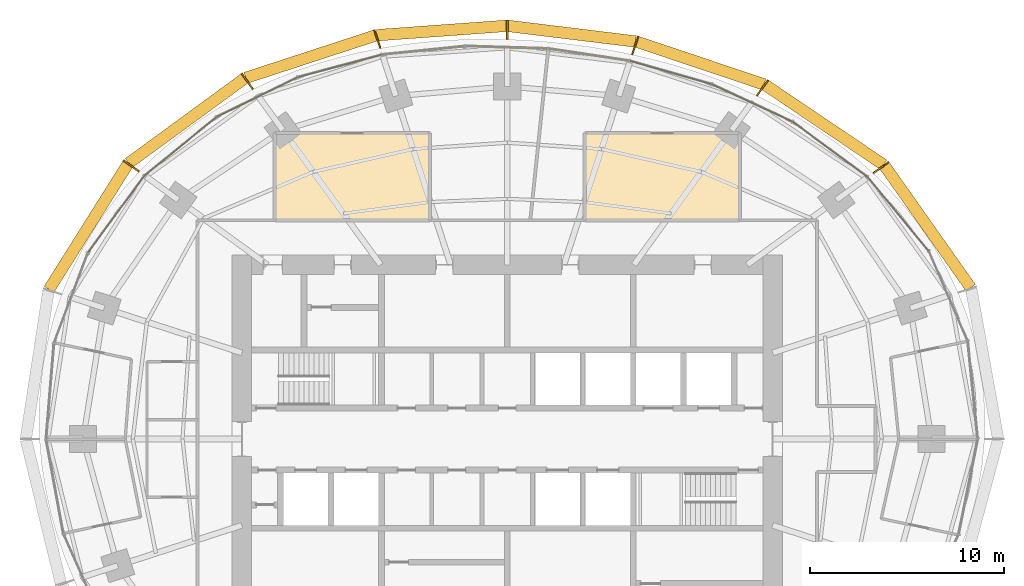
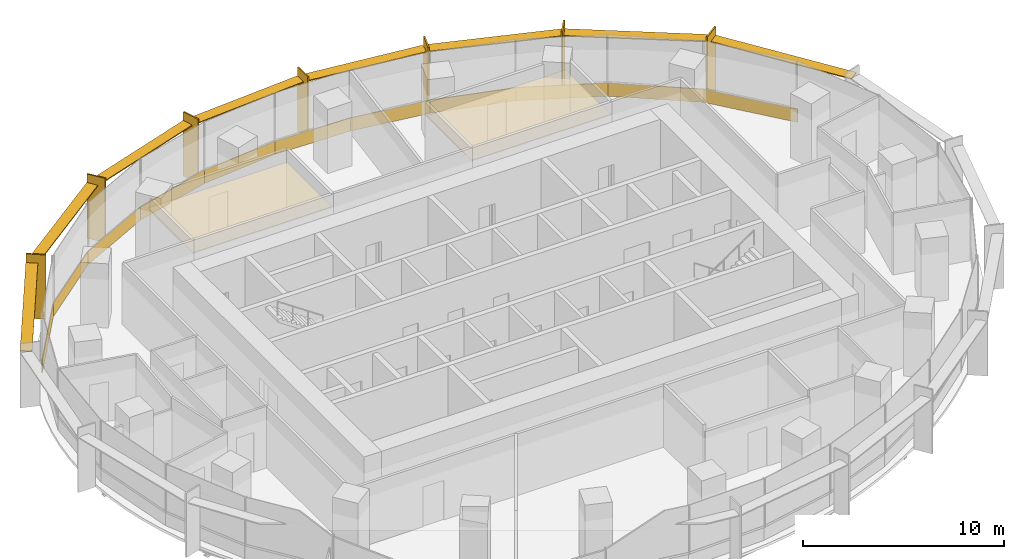
# One storey, part 14 of 14: 15 shading devices, 13 coverings.
"""IFC4 building model written with IfcOpenShell, lengths in metres."""

import ifcopenshell
import ifcopenshell.guid

model = None  # the IFC model being written
_history = None  # IfcOwnerHistory: only IFC2X3 demands one
_inside = {}  # id of a spatial element -> (the spatial element, [elements in it])
_under = {}  # id of a project, library or spatial element -> (it, [spatial elements below it])
_declared = {}  # id of a project -> (the project, [libraries it declares])
_typed = {}  # id of a type object -> (the type object, [elements of that type])
_made_of = {}  # id of a material, layer set ... -> (it, [elements and type objects made of it])


def new_model(schema):
    """Start an empty IFC model of exactly this schema.

    Asked for "IFC4X3", IfcOpenShell would pick the latest addendum, in which some entities
    have other attributes; the version numbers below select the first issue.
    IFC2X3 requires an IfcOwnerHistory on every rooted entity: one is made here for all.
    """
    global model, _history
    if schema == "IFC4X3":
        model = ifcopenshell.file(schema_version=(4, 3, 0, 0))
    else:
        model = ifcopenshell.file(schema=schema)
    _inside.clear()
    _under.clear()
    _declared.clear()
    _typed.clear()
    _made_of.clear()
    _history = None
    if model.schema == "IFC2X3":
        org = make("IfcOrganization", Name="unknown")
        user = make(
            "IfcPersonAndOrganization",
            ThePerson=make("IfcPerson", FamilyName="unknown"),
            TheOrganization=org,
        )
        app = make(
            "IfcApplication",
            ApplicationDeveloper=org,
            Version="unknown",
            ApplicationFullName="unknown",
            ApplicationIdentifier="unknown",
        )
        _history = make(
            "IfcOwnerHistory",
            OwningUser=user,
            OwningApplication=app,
            ChangeAction="ADDED",
            CreationDate=0,
        )
    return model


def make(cls, **values):
    """One entity of the class cls with the attributes given. An attribute that is None is left unset."""
    return model.create_entity(
        cls, **{name: value for name, value in values.items() if value is not None}
    )


def rooted(cls, **values):
    """An entity with a GlobalId (a new one), such as an element, a storey or a relation."""
    return make(cls, GlobalId=ifcopenshell.guid.new(), OwnerHistory=_history, **values)


def si_unit(unit_type, name, prefix=None):
    """IfcSIUnit, for example si_unit("LENGTHUNIT", "METRE", prefix="MILLI")."""
    return make("IfcSIUnit", UnitType=unit_type, Prefix=prefix, Name=name)


def assignment(units):
    """IfcUnitAssignment: the units of a project."""
    return None if units is None else make("IfcUnitAssignment", Units=units)


def point(xyz):
    """IfcCartesianPoint."""
    return None if xyz is None else make("IfcCartesianPoint", Coordinates=xyz)


def direction(xyz):
    """IfcDirection."""
    return None if xyz is None else make("IfcDirection", DirectionRatios=xyz)


def frame(location, z_axis=None, x_axis=None):
    """IfcAxis2Placement3D, a coordinate frame: its origin and axes. An axis left out is left unset."""
    return make(
        "IfcAxis2Placement3D",
        Location=point(location),
        Axis=direction(z_axis),
        RefDirection=direction(x_axis),
    )


def frame_2d(location, x_axis=None):
    """IfcAxis2Placement2D, a coordinate frame in the plane: its origin and x axis."""
    return make(
        "IfcAxis2Placement2D", Location=point(location), RefDirection=direction(x_axis)
    )


def origin():
    """The frame at (0, 0, 0) with its axes left unset."""
    return frame((0.0, 0.0, 0.0))


def origin_2d():
    """The frame at (0, 0) in the plane with its x axis left unset."""
    return frame_2d((0.0, 0.0))


def place(relative_to, where):
    """IfcLocalPlacement: puts the frame where relative to a parent placement (None: the world)."""
    return make(
        "IfcLocalPlacement", PlacementRelTo=relative_to, RelativePlacement=where
    )


def context(
    kind, dimensions, precision=None, world=None, true_north=None, identifier=None
):
    """IfcGeometricRepresentationContext, for example the 3D "Model" context."""
    return make(
        "IfcGeometricRepresentationContext",
        ContextIdentifier=identifier,
        ContextType=kind,
        CoordinateSpaceDimension=dimensions,
        Precision=precision,
        WorldCoordinateSystem=world,
        TrueNorth=true_north,
    )


def subcontext(parent, identifier, kind, view, scale=None):
    """IfcGeometricRepresentationSubContext, for example "Body" below "Model"."""
    return make(
        "IfcGeometricRepresentationSubContext",
        ContextIdentifier=identifier,
        ContextType=kind,
        ParentContext=parent,
        TargetScale=scale,
        TargetView=view,
    )


def project(units=None, contexts=None):
    """IfcProject with its units and contexts."""
    return rooted(
        "IfcProject",
        Name="project",
        RepresentationContexts=contexts,
        UnitsInContext=assignment(units),
    )


def spatial(cls, under=None, at=None, **own):
    """A site, building, storey or space (cls), placed at a placement, below another one or the project."""
    s = rooted(cls, ObjectPlacement=at, **own)
    if under is not None:
        _under.setdefault(under.id(), (under, []))[1].append(s)
    return s


def polyline(points):
    """IfcPolyline through the points."""
    return make("IfcPolyline", Points=[point(p) for p in points])


def profile(cls, at=None, kind="AREA", **sizes):
    """A parametric profile (cls). Its sizes go by their IFC names, for example OverallWidth=200.0."""
    return make(cls, ProfileType=kind, Position=at, **sizes)


def rectangle(**sizes):
    """IfcRectangleProfileDef."""
    return profile("IfcRectangleProfileDef", **sizes)


def outline(outer, holes=None, kind="AREA"):
    """IfcArbitraryClosedProfileDef: a profile drawn as a closed curve; with holes, ...WithVoids."""
    if holes is None:
        return make("IfcArbitraryClosedProfileDef", ProfileType=kind, OuterCurve=outer)
    return make(
        "IfcArbitraryProfileDefWithVoids",
        ProfileType=kind,
        OuterCurve=outer,
        InnerCurves=holes,
    )


def extrude(swept, where, along, depth):
    """IfcExtrudedAreaSolid: the profile swept, set in the frame where, extruded along a direction by depth."""
    return make(
        "IfcExtrudedAreaSolid",
        SweptArea=swept,
        Position=where,
        ExtrudedDirection=direction(along),
        Depth=depth,
    )


def shape(context_of_items, identifier, shape_type, items):
    """IfcShapeRepresentation: the items that make up one representation, for example the "Body"."""
    return make(
        "IfcShapeRepresentation",
        ContextOfItems=context_of_items,
        RepresentationIdentifier=identifier,
        RepresentationType=shape_type,
        Items=items,
    )


def material(Name=None, Category=None):
    """IfcMaterial."""
    return make("IfcMaterial", Name=Name, Category=Category)


def layer(
    of_material, thickness, ventilated=None, Name=None, Category=None, Priority=None
):
    """IfcMaterialLayer: one layer of a wall or slab, of a material (None: an air gap)."""
    return make(
        "IfcMaterialLayer",
        Material=of_material,
        LayerThickness=thickness,
        IsVentilated=ventilated,
        Name=Name,
        Category=Category,
        Priority=Priority,
    )


def layer_set(layers, Name=None):
    """IfcMaterialLayerSet."""
    return make("IfcMaterialLayerSet", MaterialLayers=layers, LayerSetName=Name)


def made_of(thing, what):
    """Note that an element or type object is made of a material, layer set ...; save() writes the relation."""
    if what is not None:
        _made_of.setdefault(what.id(), (what, []))[1].append(thing)
    return thing


def type_object(cls, material=None, **own):
    """A type object (cls), such as IfcWallType, which elements share."""
    return made_of(rooted(cls, **own), material)


def element(
    cls,
    number,
    at=None,
    inside=None,
    cuts=None,
    type_object=None,
    material=None,
    context=None,
    identifier="Body",
    shape_type=None,
    held_by="IfcProductDefinitionShape",
    body=None,
    shapes=None,
    **own,
):
    """One element of the class cls, such as IfcWall. Its Tag is "e" and its number.

    at: its placement. inside: the storey or other place that contains it. cuts: it is an
    opening in that element (IfcRelVoidsElement). A single representation is given by context,
    identifier, shape_type and body (its items); several are given by shapes. held_by: the class
    of the entity that holds the representations. save() writes the other relations.
    """
    e = rooted(cls, Tag="e%d" % number, ObjectPlacement=at, **own)
    if body is not None:
        shapes = [shape(context, identifier, shape_type, body)]
    if shapes is not None:
        e.Representation = make(held_by, Representations=shapes)
    if inside is not None:
        _inside.setdefault(inside.id(), (inside, []))[1].append(e)
    if cuts is not None:
        rooted(
            "IfcRelVoidsElement", RelatingBuildingElement=cuts, RelatedOpeningElement=e
        )
    if type_object is not None:
        _typed.setdefault(type_object.id(), (type_object, []))[1].append(e)
    return made_of(e, material)


def aggregate(whole, parts):
    """IfcRelAggregates: a whole, such as a stair, and the parts it consists of."""
    return rooted("IfcRelAggregates", RelatingObject=whole, RelatedObjects=parts)


def save(model, path):
    """Write the relations noted so far, then the file.

    IfcRelAggregates (storeys below a building ...), IfcRelContainedInSpatialStructure (elements
    in a storey), IfcRelDefinesByType, IfcRelAssociatesMaterial and IfcRelDeclares: one each for
    every whole, place, type object, material and project.
    """
    for whole, parts in _under.values():
        aggregate(whole, parts)
    for where, things in _inside.values():
        rooted(
            "IfcRelContainedInSpatialStructure",
            RelatedElements=things,
            RelatingStructure=where,
        )
    for kind, things in _typed.values():
        rooted("IfcRelDefinesByType", RelatedObjects=things, RelatingType=kind)
    for what, things in _made_of.values():
        rooted("IfcRelAssociatesMaterial", RelatedObjects=things, RelatingMaterial=what)
    for by, libraries in _declared.values():
        rooted("IfcRelDeclares", RelatingContext=by, RelatedDefinitions=libraries)
    model.write(path)


model = new_model("IFC4")

# Units and contexts
model_context = context("Model", 3, precision=1e-05, world=origin(), true_north=direction((0.0, 1.0)))
body_context = subcontext(model_context, "Body", "Model", "MODEL_VIEW")
ifc_project = project(units=[si_unit("LENGTHUNIT", "METRE"), si_unit("AREAUNIT", "SQUARE_METRE"), si_unit("VOLUMEUNIT", "CUBIC_METRE"), si_unit("PLANEANGLEUNIT", "RADIAN"), si_unit("MASSUNIT", "GRAM", prefix="KILO")], contexts=[model_context])

# Site, building, storey
site_placement = place(None, origin())
site = spatial("IfcSite", under=ifc_project, at=site_placement, CompositionType="ELEMENT")
building_placement = place(site_placement, origin())
building = spatial("IfcBuilding", under=site, at=building_placement, Name="Marramba Exchange Tower", CompositionType="ELEMENT")
storey_placement = place(building_placement, frame((0.0, 0.0, 176.0)))
storey = spatial("IfcBuildingStorey", under=building, at=storey_placement, Name="L42", CompositionType="ELEMENT", Elevation=176.0)

# Shading devices
ifc_material_1 = material(Name="Aluminium blade, timber-look bronze finish", Category="wood")
ifc_layer_1 = layer(ifc_material_1, 0.080078125)
ifc_layer_set_1 = layer_set([ifc_layer_1], Name="Floor-edge blade 1000x80")
shading_device_type_1 = type_object("IfcShadingDeviceType", Name="Floor-edge blade 1000x80", PredefinedType="USERDEFINED", material=ifc_layer_set_1)
for number, where, z_axis, x_axis, name in (
    (1, (19.298828125, 14.021484375, -0.159912109375), (0.0, 0.0, 1.0), (0.809016994375, 0.587785252292, 0.0), "Floor-edge blade FB1 L42 TC03"),
    (2, (13.176513671875, 18.135986328125, -0.159912109375), (0.0, 0.0, 1.0), (0.587785252292, 0.809016994375, 0.0), "Floor-edge blade FB1 L42 TC04"),
    (3, (6.605712890625, 20.330078125, -0.159912109375), (0.0, 0.0, 1.0), (0.309016994375, 0.951056516295, 0.0), "Floor-edge blade FB1 L42 TC05"),
    (4, (0.0, 21.13623046875, -0.159912109375), (0.0, 0.0, 1.0), (0.0, 1.0, 0.0), "Floor-edge blade FB1 L42 TC06"),
    (5, (-6.7119140625, 20.657470703125, -0.159912109375), (0.0, 0.0, 1.0), (-0.309016994375, 0.951056516295, 0.0), "Floor-edge blade FB1 L42 TC07"),
    (6, (-13.422607421875, 18.474609375, -0.159912109375), (0.0, 0.0, 1.0), (-0.587785252292, 0.809016994375, 0.0), "Floor-edge blade FB1 L42 TC08"),
    (7, (-19.4140625, 14.105224609375, -0.159912109375), (0.0, 0.0, 1.0), (-0.809016994375, 0.587785252292, 0.0), "Floor-edge blade FB1 L42 TC09"),
):
    element("IfcShadingDevice", number, at=place(storey_placement, frame(where, z_axis=z_axis, x_axis=x_axis)), inside=storey, type_object=shading_device_type_1, Name=name, ObjectType="FIN", PredefinedType="USERDEFINED", context=body_context, shape_type="SweptSolid", body=[
        extrude(rectangle(XDim=1.0, YDim=0.080078125, at=origin_2d()), origin(), (0.0, 0.0, 1.0), 3.89990234375),
    ])
ifc_material_2 = material(Name="Aluminium sunshade, bronze anodised", Category="aluminium")
ifc_layer_2 = layer(ifc_material_2, 0.06005859375)
ifc_layer_set_2 = layer_set([ifc_layer_2], Name="SUNSHADE blade 600x60")
shading_device_type_2 = type_object("IfcShadingDeviceType", Name="SUNSHADE blade 600x60", PredefinedType="USERDEFINED", material=ifc_layer_set_2)
shading_device_1_placement = place(storey_placement, frame((21.703857421875, 10.9599609375, 3.159912109375), z_axis=(0.0, 0.0, 1.0), x_axis=(-0.576555118613, 0.81705825692, 0.0)))
element("IfcShadingDevice", 8, at=shading_device_1_placement, inside=storey, type_object=shading_device_type_2, Name="Sunshade SS1 L42 bay 02", ObjectType="SUNSHADE", PredefinedType="USERDEFINED", context=body_context, shape_type="SweptSolid", body=[
    extrude(rectangle(XDim=7.70166015625, YDim=0.60009765625, at=origin_2d()), origin(), (0.0, 0.0, 1.0), 0.06005859375),
])
shading_device_2_placement = place(storey_placement, frame((16.37744140625, 16.218505859375, 3.159912109375), z_axis=(0.0, 0.0, 1.0), x_axis=(-0.829071447151, 0.559142679035, 0.0)))
element("IfcShadingDevice", 9, at=shading_device_2_placement, inside=storey, type_object=shading_device_type_2, Name="Sunshade SS1 L42 bay 03", ObjectType="SUNSHADE", PredefinedType="USERDEFINED", context=body_context, shape_type="SweptSolid", body=[
    extrude(rectangle(XDim=7.35791015625, YDim=0.60009765625, at=origin_2d()), origin(), (0.0, 0.0, 1.0), 0.06005859375),
])
shading_device_3_placement = place(storey_placement, frame((9.980712890625, 19.4091796875, 3.159912109375), z_axis=(0.0, 0.0, 1.0), x_axis=(-0.948096437223, 0.317982933073, 0.0)))
element("IfcShadingDevice", 10, at=shading_device_3_placement, inside=storey, type_object=shading_device_type_2, Name="Sunshade SS1 L42 bay 04", ObjectType="SUNSHADE", PredefinedType="USERDEFINED", context=body_context, shape_type="SweptSolid", body=[
    extrude(rectangle(XDim=6.909423828125, YDim=0.60009765625, at=origin_2d()), origin(), (0.0, 0.0, 1.0), 0.06005859375),
])
shading_device_4_placement = place(storey_placement, frame((3.333740234375, 20.92822265625, 3.159912109375), z_axis=(0.0, 0.0, 1.0), x_axis=(-0.992595256045, 0.121468751853, 0.0)))
element("IfcShadingDevice", 11, at=shading_device_4_placement, inside=storey, type_object=shading_device_type_2, Name="Sunshade SS1 L42 bay 05", ObjectType="SUNSHADE", PredefinedType="USERDEFINED", context=body_context, shape_type="SweptSolid", body=[
    extrude(rectangle(XDim=6.63720703125, YDim=0.60009765625, at=origin_2d()), origin(), (0.0, 0.0, 1.0), 0.06005859375),
])
shading_device_5_placement = place(storey_placement, frame((-3.386962890625, 21.092041015625, 3.159912109375), z_axis=(0.0, 0.0, 1.0), x_axis=(-0.997407641713, -0.071958295234, 0.0)))
element("IfcShadingDevice", 12, at=shading_device_5_placement, inside=storey, type_object=shading_device_type_2, Name="Sunshade SS1 L42 bay 06", ObjectType="SUNSHADE", PredefinedType="USERDEFINED", context=body_context, shape_type="SweptSolid", body=[
    extrude(rectangle(XDim=6.71142578125, YDim=0.60009765625, at=origin_2d()), origin(), (0.0, 0.0, 1.0), 0.06005859375),
])
shading_device_6_placement = place(storey_placement, frame((-10.156982421875, 19.741943359375, 3.159912109375), z_axis=(0.0, 0.0, 1.0), x_axis=(-0.950537602937, -0.310609506297, 0.0)))
element("IfcShadingDevice", 13, at=shading_device_6_placement, inside=storey, type_object=shading_device_type_2, Name="Sunshade SS1 L42 bay 07", ObjectType="SUNSHADE", PredefinedType="USERDEFINED", context=body_context, shape_type="SweptSolid", body=[
    extrude(rectangle(XDim=7.03857421875, YDim=0.60009765625, at=origin_2d()), origin(), (0.0, 0.0, 1.0), 0.06005859375),
])
shading_device_7_placement = place(storey_placement, frame((-16.55810546875, 16.4296875, 3.159912109375), z_axis=(0.0, 0.0, 1.0), x_axis=(-0.80719390073, -0.59028637679, 0.0)))
element("IfcShadingDevice", 14, at=shading_device_7_placement, inside=storey, type_object=shading_device_type_2, Name="Sunshade SS1 L42 bay 08", ObjectType="SUNSHADE", PredefinedType="USERDEFINED", context=body_context, shape_type="SweptSolid", body=[
    extrude(rectangle(XDim=7.3974609375, YDim=0.60009765625, at=origin_2d()), origin(), (0.0, 0.0, 1.0), 0.06005859375),
])
shading_device_8_placement = place(storey_placement, frame((-21.62744140625, 10.958251953125, 3.159912109375), z_axis=(0.0, 0.0, 1.0), x_axis=(-0.532082259983, -0.846692664792, 0.0)))
element("IfcShadingDevice", 15, at=shading_device_8_placement, inside=storey, type_object=shading_device_type_2, Name="Sunshade SS1 L42 bay 09", ObjectType="SUNSHADE", PredefinedType="USERDEFINED", context=body_context, shape_type="SweptSolid", body=[
    extrude(rectangle(XDim=7.631103515625, YDim=0.60009765625, at=origin_2d()), origin(), (0.0, 0.0, 1.0), 0.06005859375),
])

# Coverings
ifc_material_3 = material(Name="Aluminium spandrel panel, bronze anodised, insulated", Category="aluminium")
ifc_layer_3 = layer(ifc_material_3, 0.050048828125)
ifc_layer_set_3 = layer_set([ifc_layer_3], Name="Spandrel panel 800")
covering_type_1 = type_object("IfcCoveringType", Name="Spandrel panel 800", PredefinedType="CLADDING", material=ifc_layer_set_3)
covering_1_placement = place(storey_placement, frame((20.193603515625, 11.608642578125, 0.0), z_axis=(0.0, 0.0, 1.0), x_axis=(-0.637350224586, 0.770574260678, 0.0)))
element("IfcCovering", 16, at=covering_1_placement, inside=storey, type_object=covering_type_1, Name="Spandrel panel SP1 L42 F03", PredefinedType="CLADDING", context=body_context, shape_type="SweptSolid", body=[
    extrude(rectangle(XDim=4.9658203125, YDim=0.050048828125, at=origin_2d()), origin(), (0.0, 0.0, 1.0), 0.800048828125),
])
covering_2_placement = place(storey_placement, frame((16.677001953125, 14.94775390625, 0.0), z_axis=(0.0, 0.0, 1.0), x_axis=(-0.804877256733, 0.593441321104, 0.0)))
element("IfcCovering", 17, at=covering_2_placement, inside=storey, type_object=covering_type_1, Name="Spandrel panel SP1 L42 F04", PredefinedType="CLADDING", context=body_context, shape_type="SweptSolid", body=[
    extrude(rectangle(XDim=4.805908203125, YDim=0.050048828125, at=origin_2d()), origin(), (0.0, 0.0, 1.0), 0.800048828125),
])
covering_3_placement = place(storey_placement, frame((12.65869140625, 17.344482421875, 0.0), z_axis=(0.0, 0.0, 1.0), x_axis=(-0.906533903661, 0.422133014005, 0.0)))
element("IfcCovering", 18, at=covering_3_placement, inside=storey, type_object=covering_type_1, Name="Spandrel panel SP1 L42 F05", PredefinedType="CLADDING", context=body_context, shape_type="SweptSolid", body=[
    extrude(rectangle(XDim=4.5986328125, YDim=0.050048828125, at=origin_2d()), origin(), (0.0, 0.0, 1.0), 0.800048828125),
])
covering_4_placement = place(storey_placement, frame((8.45849609375, 18.91845703125, 0.0), z_axis=(0.0, 0.0, 1.0), x_axis=(-0.961658952783, 0.274248169607, 0.0)))
element("IfcCovering", 19, at=covering_4_placement, inside=storey, type_object=covering_type_1, Name="Spandrel panel SP1 L42 F06", PredefinedType="CLADDING", context=body_context, shape_type="SweptSolid", body=[
    extrude(rectangle(XDim=4.39990234375, YDim=0.050048828125, at=origin_2d()), origin(), (0.0, 0.0, 1.0), 0.800048828125),
])
covering_5_placement = place(storey_placement, frame((4.230712890625, 19.839599609375, 0.0), z_axis=(0.0, 0.0, 1.0), x_axis=(-0.988868065308, 0.148794991224, 0.0)))
element("IfcCovering", 20, at=covering_5_placement, inside=storey, type_object=covering_type_1, Name="Spandrel panel SP1 L42 F07", PredefinedType="CLADDING", context=body_context, shape_type="SweptSolid", body=[
    extrude(rectangle(XDim=4.27197265625, YDim=0.050048828125, at=origin_2d()), origin(), (0.0, 0.0, 1.0), 0.800048828125),
])
covering_6_placement = place(storey_placement, frame((-0.0068359375, 20.221923828125, 0.0), z_axis=(0.0, 0.0, 1.0), x_axis=(-0.999537999985, 0.030393857689, 0.0)))
element("IfcCovering", 21, at=covering_6_placement, inside=storey, type_object=covering_type_1, Name="Spandrel panel SP1 L42 F08", PredefinedType="CLADDING", context=body_context, shape_type="SweptSolid", body=[
    extrude(rectangle(XDim=4.252685546875, YDim=0.050048828125, at=origin_2d()), origin(), (0.0, 0.0, 1.0), 0.800048828125),
])
covering_7_placement = place(storey_placement, frame((-4.290771484375, 20.06787109375, 0.0), z_axis=(0.0, 0.0, 1.0), x_axis=(-0.994900357732, -0.10086266993, 0.0)))
element("IfcCovering", 22, at=covering_7_placement, inside=storey, type_object=covering_type_1, Name="Spandrel panel SP1 L42 F09", PredefinedType="CLADDING", context=body_context, shape_type="SweptSolid", body=[
    extrude(rectangle(XDim=4.33935546875, YDim=0.050048828125, at=origin_2d()), origin(), (0.0, 0.0, 1.0), 0.800048828125),
])
covering_8_placement = place(storey_placement, frame((-8.620361328125, 19.27001953125, 0.0), z_axis=(0.0, 0.0, 1.0), x_axis=(-0.966240651433, -0.257641230237, 0.0)))
element("IfcCovering", 23, at=covering_8_placement, inside=storey, type_object=covering_type_1, Name="Spandrel panel SP1 L42 F10", PredefinedType="CLADDING", context=body_context, shape_type="SweptSolid", body=[
    extrude(rectangle(XDim=4.49365234375, YDim=0.050048828125, at=origin_2d()), origin(), (0.0, 0.0, 1.0), 0.800048828125),
])
covering_9_placement = place(storey_placement, frame((-12.88818359375, 17.666748046875, 0.0), z_axis=(0.0, 0.0, 1.0), x_axis=(-0.898500520314, -0.438972453572, 0.0)))
element("IfcCovering", 24, at=covering_9_placement, inside=storey, type_object=covering_type_1, Name="Spandrel panel SP1 L42 F11", PredefinedType="CLADDING", context=body_context, shape_type="SweptSolid", body=[
    extrude(rectangle(XDim=4.667236328125, YDim=0.050048828125, at=origin_2d()), origin(), (0.0, 0.0, 1.0), 0.800048828125),
])
covering_10_placement = place(storey_placement, frame((-16.855712890625, 15.1240234375, 0.0), z_axis=(0.0, 0.0, 1.0), x_axis=(-0.776432169123, -0.630200830491, 0.0)))
element("IfcCovering", 25, at=covering_10_placement, inside=storey, type_object=covering_type_1, Name="Spandrel panel SP1 L42 F12", PredefinedType="CLADDING", context=body_context, shape_type="SweptSolid", body=[
    extrude(rectangle(XDim=4.81884765625, YDim=0.050048828125, at=origin_2d()), origin(), (0.0, 0.0, 1.0), 0.800048828125),
])
covering_11_placement = place(storey_placement, frame((-20.184326171875, 11.62060546875, 0.0), z_axis=(0.0, 0.0, 1.0), x_axis=(-0.591962919465, -0.805965198987, 0.0)))
element("IfcCovering", 26, at=covering_11_placement, inside=storey, type_object=covering_type_1, Name="Spandrel panel SP1 L42 F13", PredefinedType="CLADDING", context=body_context, shape_type="SweptSolid", body=[
    extrude(rectangle(XDim=4.925537109375, YDim=0.050048828125, at=origin_2d()), origin(), (0.0, 0.0, 1.0), 0.800048828125),
])
ifc_material_4 = material(Name="Mineral fibre ceiling tiles", Category="gypsum")
ifc_layer_4 = layer(ifc_material_4, 0.02001953125)
ifc_layer_set_4 = layer_set([ifc_layer_4], Name="Suspended ceiling 20")
covering_type_2 = type_object("IfcCoveringType", Name="Suspended ceiling 20", PredefinedType="CEILING", material=ifc_layer_set_4)
covering_12_placement = place(storey_placement, frame((0.0, 0.0, 2.89990234375)))
element("IfcCovering", 27, at=covering_12_placement, inside=storey, type_object=covering_type_2, Name="Ceiling CL1 L42 Meeting Room 1", PredefinedType="CEILING", context=body_context, shape_type="SweptSolid", body=[
    extrude(outline(polyline([(12.0, 11.300048828125), (4.0, 11.300048828125), (4.0, 15.800048828125), (12.0, 15.800048828125), (12.0, 11.300048828125)])), origin(), (0.0, 0.0, 1.0), 0.02001953125),
])
covering_13_placement = place(storey_placement, frame((0.0, 0.0, 2.89990234375)))
element("IfcCovering", 28, at=covering_13_placement, inside=storey, type_object=covering_type_2, Name="Ceiling CL1 L42 Meeting Room 3", PredefinedType="CEILING", context=body_context, shape_type="SweptSolid", body=[
    extrude(outline(polyline([(-4.0, 11.300048828125), (-12.0, 11.300048828125), (-12.0, 15.800048828125), (-4.0, 15.800048828125), (-4.0, 11.300048828125)])), origin(), (0.0, 0.0, 1.0), 0.02001953125),
])

save(model, "model.ifc")
